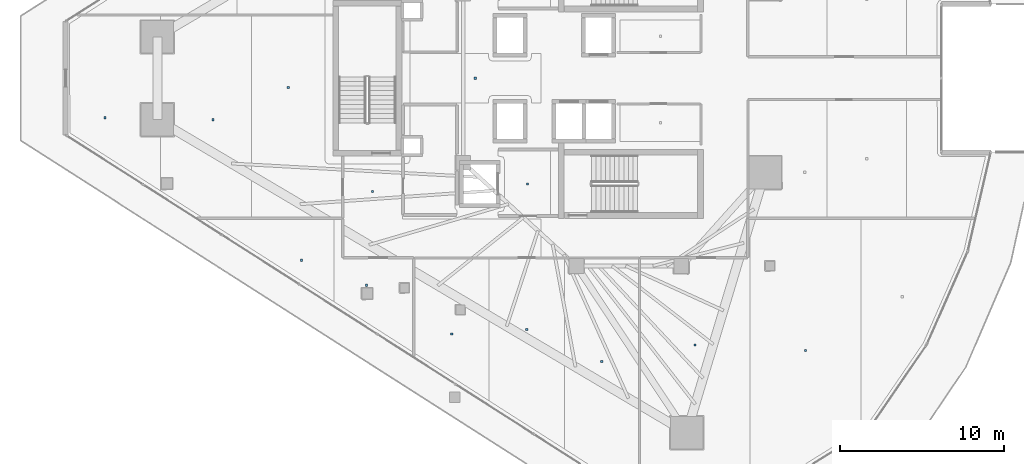
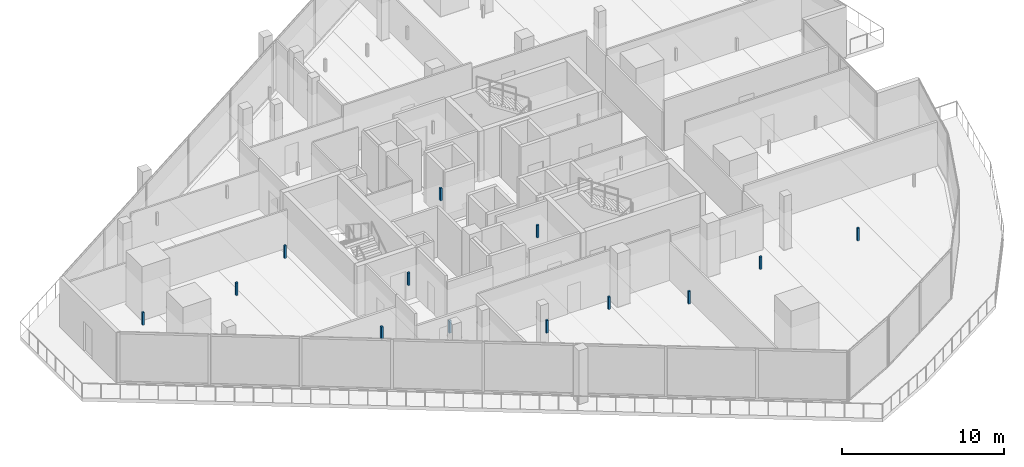
# One storey, part 28 of 36: 13 discrete accessories.
"""IFC4 building model written with IfcOpenShell, lengths in metres."""

from ifc_helpers import new_model, si_unit, direction, frame, origin, origin_2d, place, context, subcontext, project, spatial, rectangle, extrude, material, type_object, element, save


model = new_model("IFC4")

# Units and contexts
model_context = context("Model", 3, precision=1e-05, world=origin(), true_north=direction((0.0, 1.0)))
body_context = subcontext(model_context, "Body", "Model", "MODEL_VIEW")
ifc_project = project(units=[si_unit("LENGTHUNIT", "METRE"), si_unit("AREAUNIT", "SQUARE_METRE"), si_unit("VOLUMEUNIT", "CUBIC_METRE"), si_unit("PLANEANGLEUNIT", "RADIAN"), si_unit("MASSUNIT", "GRAM", prefix="KILO")], contexts=[model_context])

# Site, building, storey
site_placement = place(None, origin())
site = spatial("IfcSite", under=ifc_project, at=site_placement, CompositionType="ELEMENT")
building_placement = place(site_placement, origin())
building = spatial("IfcBuilding", under=site, at=building_placement, Name="Qorvath Tower", CompositionType="ELEMENT")
storey_placement = place(building_placement, frame((0.0, 0.0, 205.050048828125)))
storey = spatial("IfcBuildingStorey", under=building, at=storey_placement, Name="L47", CompositionType="ELEMENT", Elevation=205.050048828125)

# Discrete accessories
ifc_material = material(Name="Galvanised steel bracket", Category="steel")
discrete_accessory_type = type_object("IfcDiscreteAccessoryType", Name="DA-BRACKET", PredefinedType="BRACKET", material=ifc_material)
for number, where, z_axis, x_axis, name in (
    (1, (-26.590087890625, -6.449951171875, 2.85986328125), (0.0, 0.0, 1.0), (1.0, 0.0, 0.0), "Acoustic Ceiling Suspension Hanger T1-L47-002"),
    (2, (-36.04150390625, -6.9072265625, 2.85986328125), (0.0, 0.0, 1.0), (1.0, 0.0, 0.0), "Acoustic Ceiling Suspension Hanger T1-L47-007"),
    (3, (-29.763916015625, 0.0, 2.85986328125), (0.0, 0.0, 1.0), (1.0, 0.0, 0.0), "Acoustic Ceiling Suspension Hanger T1-L47-009"),
    (4, (-40.372802734375, -11.095458984375, 2.85986328125), (0.0, 0.0, 1.0), (1.0, 0.0, 0.0), "Acoustic Ceiling Suspension Hanger T1-L47-018"),
    (5, (-36.405517578125, -12.62158203125, 2.85986328125), (0.0, 0.0, 1.0), (1.0, 0.0, 0.0), "Acoustic Ceiling Suspension Hanger T1-L47-019"),
    (6, (-31.21435546875, -15.607177734375, 2.85986328125), (0.0, 0.0, 1.0), (1.0, 0.0, 0.0), "Acoustic Ceiling Suspension Hanger T1-L47-020"),
    (7, (-26.63134765625, -15.323486328125, 2.85986328125), (0.0, 0.0, 1.0), (1.0, 0.0, 0.0), "Acoustic Ceiling Suspension Hanger T1-L47-021"),
    (8, (-22.048583984375, -17.286376953125, 2.85986328125), (0.0, 0.0, 1.0), (1.0, 0.0, 0.0), "Acoustic Ceiling Suspension Hanger T1-L47-022"),
    (9, (-16.366455078125, -16.272216796875, 2.85986328125), (0.0, 0.0, 1.0), (1.0, 0.0, 0.0), "Acoustic Ceiling Suspension Hanger T1-L47-023"),
    (10, (-9.62060546875, -16.61083984375, 2.85986328125), (0.0, 0.0, 1.0), (1.0, 0.0, 0.0), "Acoustic Ceiling Suspension Hanger T1-L47-024"),
    (11, (-52.366455078125, -2.408447265625, 2.85986328125), (0.0, 0.0, 1.0), (1.0, 0.0, 0.0), "Acoustic Ceiling Suspension Hanger T1-L47-032"),
    (12, (-45.773681640625, -2.52783203125, 2.85986328125), (0.0, 0.0, 1.0), (1.0, 0.0, 0.0), "Acoustic Ceiling Suspension Hanger T1-L47-033"),
    (13, (-41.18408203125, -0.56640625, 2.85986328125), (0.0, 0.0, 1.0), (1.0, 0.0, 0.0), "Acoustic Ceiling Suspension Hanger T1-L47-034"),
):
    element("IfcDiscreteAccessory", number, at=place(storey_placement, frame(where, z_axis=z_axis, x_axis=x_axis)), inside=storey, type_object=discrete_accessory_type, Name=name, PredefinedType="NOTDEFINED", context=body_context, shape_type="SweptSolid", body=[
        extrude(rectangle(XDim=0.139892578125, YDim=0.139892578125, at=origin_2d()), origin(), (0.0, 0.0, 1.0), 0.9501953125),
    ])

save(model, "model.ifc")
